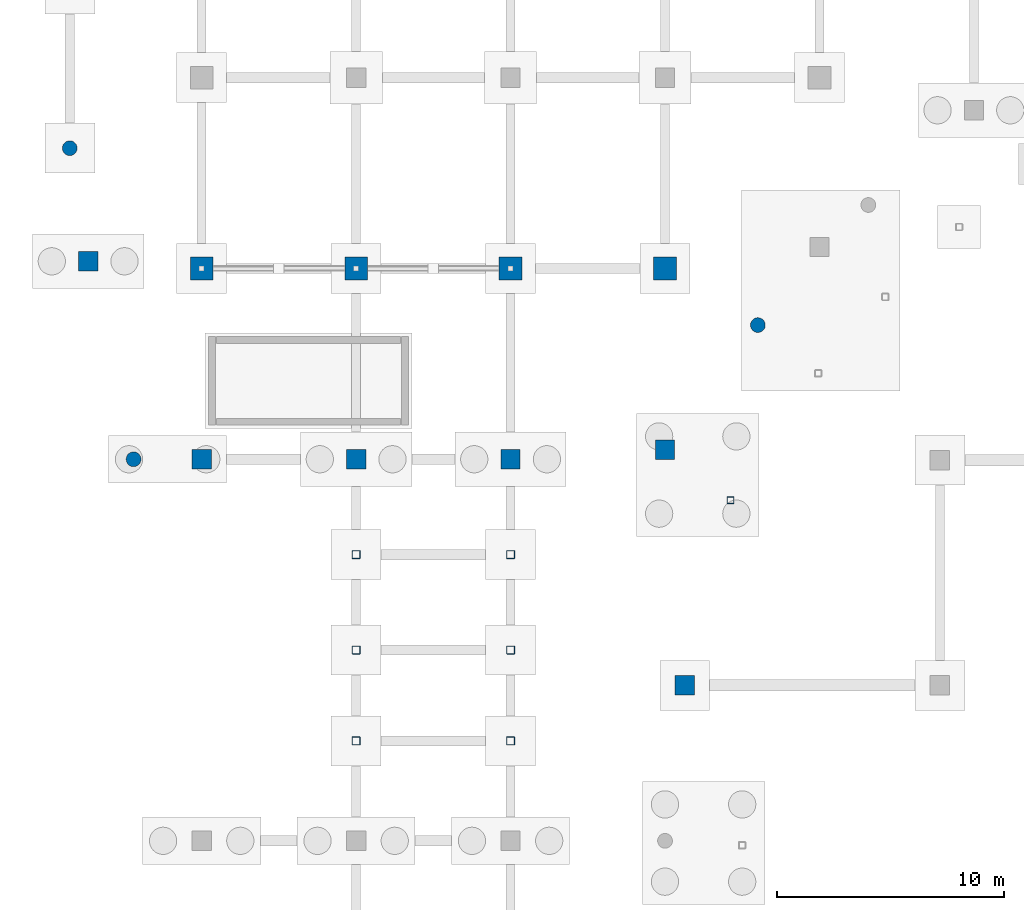
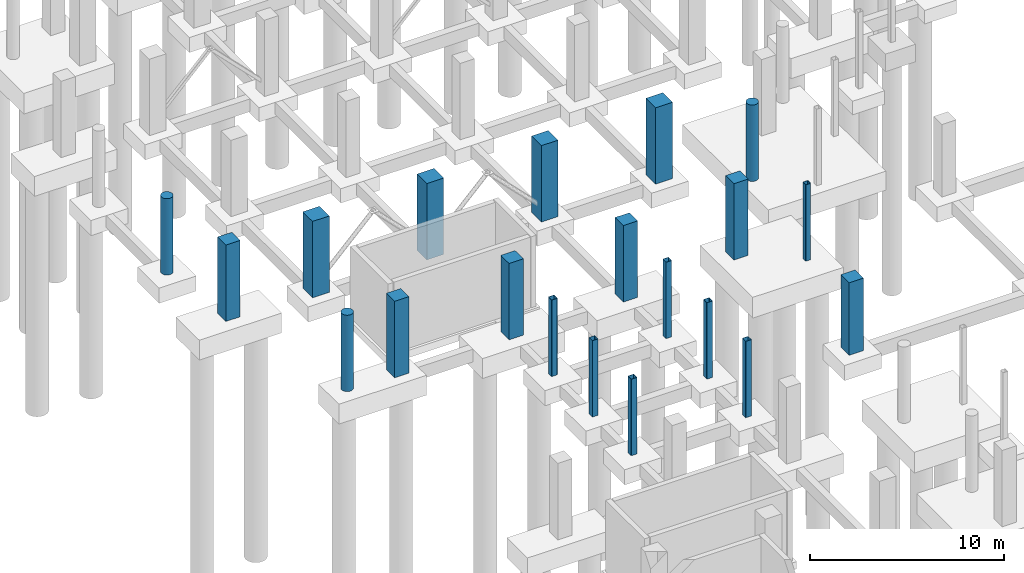
# One storey, part 18 of 44: 20 columns.
"""IFC4 building model written with IfcOpenShell, lengths in metres."""

import ifcopenshell
import ifcopenshell.guid

model = None  # the IFC model being written
_history = None  # IfcOwnerHistory: only IFC2X3 demands one
_inside = {}  # id of a spatial element -> (the spatial element, [elements in it])
_under = {}  # id of a project, library or spatial element -> (it, [spatial elements below it])
_declared = {}  # id of a project -> (the project, [libraries it declares])
_typed = {}  # id of a type object -> (the type object, [elements of that type])
_made_of = {}  # id of a material, layer set ... -> (it, [elements and type objects made of it])


def new_model(schema):
    """Start an empty IFC model of exactly this schema.

    Asked for "IFC4X3", IfcOpenShell would pick the latest addendum, in which some entities
    have other attributes; the version numbers below select the first issue.
    IFC2X3 requires an IfcOwnerHistory on every rooted entity: one is made here for all.
    """
    global model, _history
    if schema == "IFC4X3":
        model = ifcopenshell.file(schema_version=(4, 3, 0, 0))
    else:
        model = ifcopenshell.file(schema=schema)
    _inside.clear()
    _under.clear()
    _declared.clear()
    _typed.clear()
    _made_of.clear()
    _history = None
    if model.schema == "IFC2X3":
        org = make("IfcOrganization", Name="unknown")
        user = make(
            "IfcPersonAndOrganization",
            ThePerson=make("IfcPerson", FamilyName="unknown"),
            TheOrganization=org,
        )
        app = make(
            "IfcApplication",
            ApplicationDeveloper=org,
            Version="unknown",
            ApplicationFullName="unknown",
            ApplicationIdentifier="unknown",
        )
        _history = make(
            "IfcOwnerHistory",
            OwningUser=user,
            OwningApplication=app,
            ChangeAction="ADDED",
            CreationDate=0,
        )
    return model


def make(cls, **values):
    """One entity of the class cls with the attributes given. An attribute that is None is left unset."""
    return model.create_entity(
        cls, **{name: value for name, value in values.items() if value is not None}
    )


def rooted(cls, **values):
    """An entity with a GlobalId (a new one), such as an element, a storey or a relation."""
    return make(cls, GlobalId=ifcopenshell.guid.new(), OwnerHistory=_history, **values)


def si_unit(unit_type, name, prefix=None):
    """IfcSIUnit, for example si_unit("LENGTHUNIT", "METRE", prefix="MILLI")."""
    return make("IfcSIUnit", UnitType=unit_type, Prefix=prefix, Name=name)


def assignment(units):
    """IfcUnitAssignment: the units of a project."""
    return None if units is None else make("IfcUnitAssignment", Units=units)


def point(xyz):
    """IfcCartesianPoint."""
    return None if xyz is None else make("IfcCartesianPoint", Coordinates=xyz)


def direction(xyz):
    """IfcDirection."""
    return None if xyz is None else make("IfcDirection", DirectionRatios=xyz)


def frame(location, z_axis=None, x_axis=None):
    """IfcAxis2Placement3D, a coordinate frame: its origin and axes. An axis left out is left unset."""
    return make(
        "IfcAxis2Placement3D",
        Location=point(location),
        Axis=direction(z_axis),
        RefDirection=direction(x_axis),
    )


def frame_2d(location, x_axis=None):
    """IfcAxis2Placement2D, a coordinate frame in the plane: its origin and x axis."""
    return make(
        "IfcAxis2Placement2D", Location=point(location), RefDirection=direction(x_axis)
    )


def origin():
    """The frame at (0, 0, 0) with its axes left unset."""
    return frame((0.0, 0.0, 0.0))


def origin_2d():
    """The frame at (0, 0) in the plane with its x axis left unset."""
    return frame_2d((0.0, 0.0))


def place(relative_to, where):
    """IfcLocalPlacement: puts the frame where relative to a parent placement (None: the world)."""
    return make(
        "IfcLocalPlacement", PlacementRelTo=relative_to, RelativePlacement=where
    )


def context(
    kind, dimensions, precision=None, world=None, true_north=None, identifier=None
):
    """IfcGeometricRepresentationContext, for example the 3D "Model" context."""
    return make(
        "IfcGeometricRepresentationContext",
        ContextIdentifier=identifier,
        ContextType=kind,
        CoordinateSpaceDimension=dimensions,
        Precision=precision,
        WorldCoordinateSystem=world,
        TrueNorth=true_north,
    )


def subcontext(parent, identifier, kind, view, scale=None):
    """IfcGeometricRepresentationSubContext, for example "Body" below "Model"."""
    return make(
        "IfcGeometricRepresentationSubContext",
        ContextIdentifier=identifier,
        ContextType=kind,
        ParentContext=parent,
        TargetScale=scale,
        TargetView=view,
    )


def project(units=None, contexts=None):
    """IfcProject with its units and contexts."""
    return rooted(
        "IfcProject",
        Name="project",
        RepresentationContexts=contexts,
        UnitsInContext=assignment(units),
    )


def spatial(cls, under=None, at=None, **own):
    """A site, building, storey or space (cls), placed at a placement, below another one or the project."""
    s = rooted(cls, ObjectPlacement=at, **own)
    if under is not None:
        _under.setdefault(under.id(), (under, []))[1].append(s)
    return s


def profile(cls, at=None, kind="AREA", **sizes):
    """A parametric profile (cls). Its sizes go by their IFC names, for example OverallWidth=200.0."""
    return make(cls, ProfileType=kind, Position=at, **sizes)


def rectangle(**sizes):
    """IfcRectangleProfileDef."""
    return profile("IfcRectangleProfileDef", **sizes)


def hollow_rectangle(**sizes):
    """IfcRectangleHollowProfileDef."""
    return profile("IfcRectangleHollowProfileDef", **sizes)


def circle(**sizes):
    """IfcCircleProfileDef."""
    return profile("IfcCircleProfileDef", **sizes)


def extrude(swept, where, along, depth):
    """IfcExtrudedAreaSolid: the profile swept, set in the frame where, extruded along a direction by depth."""
    return make(
        "IfcExtrudedAreaSolid",
        SweptArea=swept,
        Position=where,
        ExtrudedDirection=direction(along),
        Depth=depth,
    )


def shape(context_of_items, identifier, shape_type, items):
    """IfcShapeRepresentation: the items that make up one representation, for example the "Body"."""
    return make(
        "IfcShapeRepresentation",
        ContextOfItems=context_of_items,
        RepresentationIdentifier=identifier,
        RepresentationType=shape_type,
        Items=items,
    )


def material(Name=None, Category=None):
    """IfcMaterial."""
    return make("IfcMaterial", Name=Name, Category=Category)


def material_profile(
    of_material, cross_section, Name=None, Category=None, Priority=None
):
    """IfcMaterialProfile: a cross section and its material."""
    return make(
        "IfcMaterialProfile",
        Name=Name,
        Material=of_material,
        Profile=cross_section,
        Priority=Priority,
        Category=Category,
    )


def profile_set(profiles, Name=None, composite=None):
    """IfcMaterialProfileSet."""
    return make(
        "IfcMaterialProfileSet",
        Name=Name,
        MaterialProfiles=profiles,
        CompositeProfile=composite,
    )


def made_of(thing, what):
    """Note that an element or type object is made of a material, layer set ...; save() writes the relation."""
    if what is not None:
        _made_of.setdefault(what.id(), (what, []))[1].append(thing)
    return thing


def type_object(cls, material=None, **own):
    """A type object (cls), such as IfcWallType, which elements share."""
    return made_of(rooted(cls, **own), material)


def element(
    cls,
    number,
    at=None,
    inside=None,
    cuts=None,
    type_object=None,
    material=None,
    context=None,
    identifier="Body",
    shape_type=None,
    held_by="IfcProductDefinitionShape",
    body=None,
    shapes=None,
    **own,
):
    """One element of the class cls, such as IfcWall. Its Tag is "e" and its number.

    at: its placement. inside: the storey or other place that contains it. cuts: it is an
    opening in that element (IfcRelVoidsElement). A single representation is given by context,
    identifier, shape_type and body (its items); several are given by shapes. held_by: the class
    of the entity that holds the representations. save() writes the other relations.
    """
    e = rooted(cls, Tag="e%d" % number, ObjectPlacement=at, **own)
    if body is not None:
        shapes = [shape(context, identifier, shape_type, body)]
    if shapes is not None:
        e.Representation = make(held_by, Representations=shapes)
    if inside is not None:
        _inside.setdefault(inside.id(), (inside, []))[1].append(e)
    if cuts is not None:
        rooted(
            "IfcRelVoidsElement", RelatingBuildingElement=cuts, RelatedOpeningElement=e
        )
    if type_object is not None:
        _typed.setdefault(type_object.id(), (type_object, []))[1].append(e)
    return made_of(e, material)


def aggregate(whole, parts):
    """IfcRelAggregates: a whole, such as a stair, and the parts it consists of."""
    return rooted("IfcRelAggregates", RelatingObject=whole, RelatedObjects=parts)


def save(model, path):
    """Write the relations noted so far, then the file.

    IfcRelAggregates (storeys below a building ...), IfcRelContainedInSpatialStructure (elements
    in a storey), IfcRelDefinesByType, IfcRelAssociatesMaterial and IfcRelDeclares: one each for
    every whole, place, type object, material and project.
    """
    for whole, parts in _under.values():
        aggregate(whole, parts)
    for where, things in _inside.values():
        rooted(
            "IfcRelContainedInSpatialStructure",
            RelatedElements=things,
            RelatingStructure=where,
        )
    for kind, things in _typed.values():
        rooted("IfcRelDefinesByType", RelatedObjects=things, RelatingType=kind)
    for what, things in _made_of.values():
        rooted("IfcRelAssociatesMaterial", RelatedObjects=things, RelatingMaterial=what)
    for by, libraries in _declared.values():
        rooted("IfcRelDeclares", RelatingContext=by, RelatedDefinitions=libraries)
    model.write(path)


model = new_model("IFC4")

# Units and contexts
model_context = context("Model", 3, precision=1e-05, world=origin(), true_north=direction((0.0, 1.0)))
body_context = subcontext(model_context, "Body", "Model", "MODEL_VIEW")
ifc_project = project(units=[si_unit("LENGTHUNIT", "METRE"), si_unit("AREAUNIT", "SQUARE_METRE"), si_unit("VOLUMEUNIT", "CUBIC_METRE"), si_unit("PLANEANGLEUNIT", "RADIAN"), si_unit("MASSUNIT", "GRAM", prefix="KILO")], contexts=[model_context])

# Site, building, storey
site_placement = place(None, origin())
site = spatial("IfcSite", under=ifc_project, at=site_placement, CompositionType="ELEMENT")
building_placement = place(site_placement, origin())
building = spatial("IfcBuilding", under=site, at=building_placement, Name="Kisaragi Civic Commons", CompositionType="ELEMENT")
storey_placement = place(building_placement, frame((0.0, 0.0, -4.800048828125)))
storey = spatial("IfcBuildingStorey", under=building, at=storey_placement, Name="B1", CompositionType="ELEMENT", Elevation=-4.800048828125)

# Columns
ifc_material_1 = material(Name="Concrete Fc36", Category="concrete")
ifc_material_profile_1 = material_profile(ifc_material_1, rectangle(XDim=0.85009765625, YDim=0.85009765625, at=origin_2d()), Name="RC-850x850", Category="concrete")
ifc_profile_set_1 = profile_set([ifc_material_profile_1], Name="Concrete Fc36")
column_type_1 = type_object("IfcColumnType", Name="C-01", PredefinedType="COLUMN", material=ifc_profile_set_1)
column_1_placement = place(storey_placement, frame((28.068115234375, 69.246337890625, 0.0), z_axis=(0.0, 0.0, 1.0), x_axis=(1.0, 0.0, 0.0)))
element("IfcColumn", 1, at=column_1_placement, inside=storey, type_object=column_type_1, Name="B1 column C-01 (28.1,69.2)", PredefinedType="COLUMN", context=body_context, shape_type="SweptSolid", body=[
    extrude(rectangle(XDim=0.85009765625, YDim=0.85009765625, at=origin_2d()), origin(), (0.0, 0.0, 1.0), 4.554931640625),
])
ifc_material_profile_2 = material_profile(ifc_material_1, rectangle(XDim=0.85009765625, YDim=0.85009765625, at=origin_2d()), Name="RC-850x850", Category="concrete")
ifc_profile_set_2 = profile_set([ifc_material_profile_2], Name="Concrete Fc36")
column_type_2 = type_object("IfcColumnType", Name="C-05", PredefinedType="COLUMN", material=ifc_profile_set_2)
for number, where, z_axis, x_axis, name in (
    (2, (1.800048828125, 87.916259765625, 0.0), (0.0, 0.0, 1.0), (1.0, 0.0, 0.0), "B1 column C-05 (1.8,87.9)"),
    (3, (6.800048828125, 79.199951171875, 0.0), (0.0, 0.0, 1.0), (1.0, 0.0, 0.0), "B1 column C-05 (6.8,79.2)"),
    (4, (13.60009765625, 79.199951171875, 0.0), (0.0, 0.0, 1.0), (1.0, 0.0, 0.0), "B1 column C-05 (13.6,79.2)"),
    (5, (20.39990234375, 79.199951171875, 0.0), (0.0, 0.0, 1.0), (1.0, 0.0, 0.0), "B1 column C-05 (20.4,79.2)"),
    (6, (27.199951171875, 79.614501953125, 0.0), (0.0, 0.0, 1.0), (1.0, 0.0, 0.0), "B1 column C-05 (27.2,79.6)"),
):
    element("IfcColumn", number, at=place(storey_placement, frame(where, z_axis=z_axis, x_axis=x_axis)), inside=storey, type_object=column_type_2, Name=name, PredefinedType="COLUMN", context=body_context, shape_type="SweptSolid", body=[
        extrude(rectangle(XDim=0.85009765625, YDim=0.85009765625, at=origin_2d()), origin(), (0.0, 0.0, 1.0), 4.800048828125),
    ])
ifc_material_2 = material(Name="Concrete Fc30", Category="concrete")
ifc_material_profile_3 = material_profile(ifc_material_2, circle(Radius=0.324951171875, at=origin_2d()), Name="RC-D650", Category="concrete")
ifc_profile_set_3 = profile_set([ifc_material_profile_3], Name="Concrete Fc30")
column_type_3 = type_object("IfcColumnType", Name="C-12", PredefinedType="COLUMN", material=ifc_profile_set_3)
for number, where, z_axis, x_axis, name in (
    (7, (0.9912109375, 92.896484375, 0.0), (0.0, 0.0, 1.0), (1.0, 0.0, 0.0), "B1 column C-12 (1.0,92.9)"),
    (8, (3.800048828125, 79.199951171875, 0.0), (0.0, 0.0, 1.0), (1.0, 0.0, 0.0), "B1 column C-12 (3.8,79.2)"),
    (9, (31.2880859375, 85.107421875, 0.0), (0.0, 0.0, 1.0), (1.0, 0.0, 0.0), "B1 column C-12 (31.3,85.1)"),
):
    element("IfcColumn", number, at=place(storey_placement, frame(where, z_axis=z_axis, x_axis=x_axis)), inside=storey, type_object=column_type_3, Name=name, PredefinedType="COLUMN", context=body_context, shape_type="SweptSolid", body=[
        extrude(circle(Radius=0.324951171875, at=origin_2d()), origin(), (0.0, 0.0, 1.0), 4.800048828125),
    ])
ifc_material_3 = material(Name="Steel BCR295", Category="steel")
ifc_material_profile_4 = material_profile(ifc_material_3, hollow_rectangle(XDim=0.35009765625, YDim=0.35009765625, WallThickness=0.011962890625, InnerFilletRadius=0.011962890625, OuterFilletRadius=0.02392578125, at=origin_2d()), Name="BCR-350x350x12", Category="steel")
ifc_profile_set_4 = profile_set([ifc_material_profile_4], Name="Steel BCR295")
column_type_4 = type_object("IfcColumnType", Name="C-13", PredefinedType="COLUMN", material=ifc_profile_set_4)
for number, where, z_axis, x_axis, name in (
    (10, (13.60009765625, 66.800048828125, 0.0), (0.0, 0.0, 1.0), (1.0, 0.0, 0.0), "B1 column C-13 (13.6,66.8)"),
    (11, (13.60009765625, 70.800048828125, 0.0), (0.0, 0.0, 1.0), (1.0, 0.0, 0.0), "B1 column C-13 (13.6,70.8)"),
    (12, (13.60009765625, 75.0, 0.0), (0.0, 0.0, 1.0), (1.0, 0.0, 0.0), "B1 column C-13 (13.6,75.0)"),
    (13, (20.39990234375, 66.800048828125, 0.0), (0.0, 0.0, 1.0), (1.0, 0.0, 0.0), "B1 column C-13 (20.4,66.8)"),
    (14, (20.39990234375, 70.800048828125, 0.0), (0.0, 0.0, 1.0), (1.0, 0.0, 0.0), "B1 column C-13 (20.4,70.8)"),
    (15, (20.39990234375, 75.0, 0.0), (0.0, 0.0, 1.0), (1.0, 0.0, 0.0), "B1 column C-13 (20.4,75.0)"),
):
    element("IfcColumn", number, at=place(storey_placement, frame(where, z_axis=z_axis, x_axis=x_axis)), inside=storey, type_object=column_type_4, Name=name, PredefinedType="COLUMN", context=body_context, shape_type="SweptSolid", body=[
        extrude(hollow_rectangle(XDim=0.35009765625, YDim=0.35009765625, WallThickness=0.011962890625, InnerFilletRadius=0.011962890625, OuterFilletRadius=0.02392578125, at=origin_2d()), origin(), (0.0, 0.0, 1.0), 4.800048828125),
    ])
ifc_material_profile_5 = material_profile(ifc_material_3, hollow_rectangle(XDim=0.300048828125, YDim=0.300048828125, WallThickness=0.012939453125, InnerFilletRadius=0.012939453125, OuterFilletRadius=0.02587890625, at=origin_2d()), Name="BCR-300x300x13", Category="steel")
ifc_profile_set_5 = profile_set([ifc_material_profile_5], Name="Steel BCR295")
column_type_5 = type_object("IfcColumnType", Name="C-15", PredefinedType="COLUMN", material=ifc_profile_set_5)
column_2_placement = place(storey_placement, frame((30.08203125, 77.39599609375, 0.0), z_axis=(0.0, 0.0, 1.0), x_axis=(1.0, 0.0, 0.0)))
element("IfcColumn", 16, at=column_2_placement, inside=storey, type_object=column_type_5, Name="B1 column C-15 (30.1,77.4)", PredefinedType="COLUMN", context=body_context, shape_type="SweptSolid", body=[
    extrude(hollow_rectangle(XDim=0.300048828125, YDim=0.300048828125, WallThickness=0.012939453125, InnerFilletRadius=0.012939453125, OuterFilletRadius=0.02587890625, at=origin_2d()), origin(), (0.0, 0.0, 1.0), 4.800048828125),
])
ifc_material_profile_6 = material_profile(ifc_material_1, rectangle(XDim=1.0, YDim=1.0, at=origin_2d()), Name="RC-1000x1000", Category="concrete")
ifc_profile_set_6 = profile_set([ifc_material_profile_6], Name="Concrete Fc36")
column_type_6 = type_object("IfcColumnType", Name="C-22", PredefinedType="COLUMN", material=ifc_profile_set_6)
for number, where, z_axis, x_axis, name in (
    (17, (6.800048828125, 87.60009765625, 0.0), (0.0, 0.0, 1.0), (1.0, 0.0, 0.0), "B1 column C-22 (6.8,87.6)"),
    (18, (13.60009765625, 87.60009765625, 0.0), (0.0, 0.0, 1.0), (1.0, 0.0, 0.0), "B1 column C-22 (13.6,87.6)"),
    (19, (20.39990234375, 87.60009765625, 0.0), (0.0, 0.0, 1.0), (1.0, 0.0, 0.0), "B1 column C-22 (20.4,87.6)"),
    (20, (27.199951171875, 87.60009765625, 0.0), (0.0, 0.0, 1.0), (1.0, 0.0, 0.0), "B1 column C-22 (27.2,87.6)"),
):
    element("IfcColumn", number, at=place(storey_placement, frame(where, z_axis=z_axis, x_axis=x_axis)), inside=storey, type_object=column_type_6, Name=name, PredefinedType="COLUMN", context=body_context, shape_type="SweptSolid", body=[
        extrude(rectangle(XDim=1.0, YDim=1.0, at=origin_2d()), origin(), (0.0, 0.0, 1.0), 4.800048828125),
    ])

save(model, "model.ifc")
